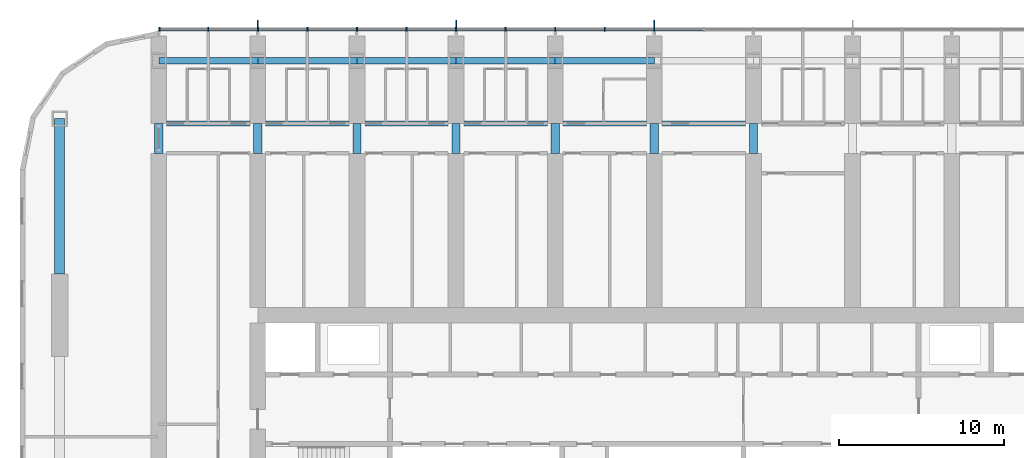
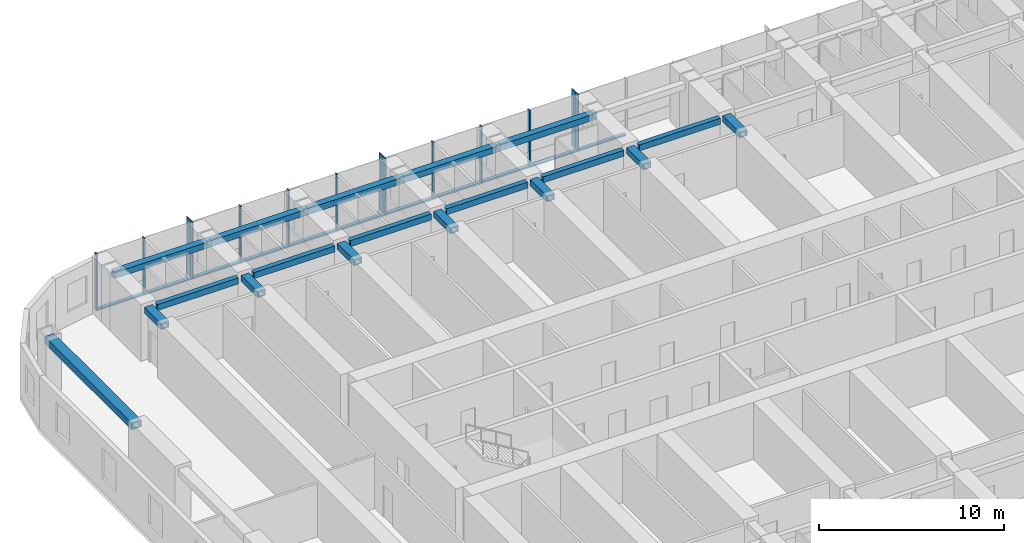
# One storey, part 4 of 22: 25 members, 19 beams, 1 element without a shape of its own.
"""IFC4 building model written with IfcOpenShell, lengths in metres."""

from ifc_helpers import new_model, si_unit, direction, frame, origin, origin_2d, place, context, subcontext, project, spatial, rectangle, hollow_rectangle, extrude, material, material_profile, profile_set, type_object, element, aggregate, save


model = new_model("IFC4")

# Units and contexts
model_context = context("Model", 3, precision=1e-05, world=origin(), true_north=direction((0.0, 1.0)))
body_context = subcontext(model_context, "Body", "Model", "MODEL_VIEW")
ifc_project = project(units=[si_unit("LENGTHUNIT", "METRE"), si_unit("AREAUNIT", "SQUARE_METRE"), si_unit("VOLUMEUNIT", "CUBIC_METRE"), si_unit("PLANEANGLEUNIT", "RADIAN"), si_unit("MASSUNIT", "GRAM", prefix="KILO")], contexts=[model_context])

# Site, building, storey
site_placement = place(None, origin())
site = spatial("IfcSite", under=ifc_project, at=site_placement, CompositionType="ELEMENT")
building_placement = place(site_placement, origin())
building = spatial("IfcBuilding", under=site, at=building_placement, Name="Orbita Commons", CompositionType="ELEMENT")
storey_placement = place(building_placement, frame((0.0, 0.0, 121.89990234375)))
storey = spatial("IfcBuildingStorey", under=building, at=storey_placement, Name="L30", CompositionType="ELEMENT", Elevation=121.89990234375)

# Curtain wall, members
ifc_material_1 = material(Name="Anodised aluminium frame, pale silver", Category="aluminium")
curtain_wall_type = type_object("IfcCurtainWallType", Name="Unitised curtain wall CW-T, vision and spandrel", PredefinedType="NOTDEFINED", material=ifc_material_1)
curtain_wall_placement = place(storey_placement, origin())
curtain_wall = element("IfcCurtainWall", 1, at=curtain_wall_placement, inside=storey, type_object=curtain_wall_type, Name="Curtain wall north L30", PredefinedType="NOTDEFINED")
ifc_material_2 = material(Name="Anodised aluminium, pale silver", Category="aluminium")
ifc_material_profile_1 = material_profile(ifc_material_2, rectangle(XDim=0.080078125, YDim=0.219970703125, at=origin_2d()), Name="AL 80x220")
ifc_profile_set_1 = profile_set([ifc_material_profile_1], Name="Anodised aluminium, pale silver")
member_type_1 = type_object("IfcMemberType", Name="Curtain wall mullion 80x220", PredefinedType="MULLION", material=ifc_profile_set_1)
member_1_placement = place(storey_placement, frame((42.0, 55.510009765625, -0.25), z_axis=(0.0, 0.0, 1.0), x_axis=(-1.0, 0.0, 0.0)))
member_1 = element("IfcMember", 2, at=member_1_placement, type_object=member_type_1, Name="Mullion 9 CW-L30-N", PredefinedType="MULLION", context=body_context, shape_type="SweptSolid", body=[
    extrude(rectangle(XDim=0.080078125, YDim=0.219970703125, at=origin_2d()), origin(), (0.0, 0.0, 1.0), 3.75),
])
member_2_placement = place(storey_placement, frame((39.0, 55.510009765625, -0.25), z_axis=(0.0, 0.0, 1.0), x_axis=(-1.0, 0.0, 0.0)))
member_2 = element("IfcMember", 3, at=member_2_placement, type_object=member_type_1, Name="Mullion 10 CW-L30-N", PredefinedType="MULLION", context=body_context, shape_type="SweptSolid", body=[
    extrude(rectangle(XDim=0.080078125, YDim=0.219970703125, at=origin_2d()), origin(), (0.0, 0.0, 1.0), 3.75),
])
member_3_placement = place(storey_placement, frame((36.0, 55.510009765625, -0.25), z_axis=(0.0, 0.0, 1.0), x_axis=(-1.0, 0.0, 0.0)))
member_3 = element("IfcMember", 4, at=member_3_placement, type_object=member_type_1, Name="Mullion 11 CW-L30-N", PredefinedType="MULLION", context=body_context, shape_type="SweptSolid", body=[
    extrude(rectangle(XDim=0.080078125, YDim=0.219970703125, at=origin_2d()), origin(), (0.0, 0.0, 1.0), 3.75),
])
member_4_placement = place(storey_placement, frame((33.0, 55.510009765625, -0.25), z_axis=(0.0, 0.0, 1.0), x_axis=(-1.0, 0.0, 0.0)))
member_4 = element("IfcMember", 5, at=member_4_placement, type_object=member_type_1, Name="Mullion 12 CW-L30-N", PredefinedType="MULLION", context=body_context, shape_type="SweptSolid", body=[
    extrude(rectangle(XDim=0.080078125, YDim=0.219970703125, at=origin_2d()), origin(), (0.0, 0.0, 1.0), 3.75),
])
member_5_placement = place(storey_placement, frame((30.0, 55.510009765625, -0.25), z_axis=(0.0, 0.0, 1.0), x_axis=(-1.0, 0.0, 0.0)))
member_5 = element("IfcMember", 6, at=member_5_placement, type_object=member_type_1, Name="Mullion 13 CW-L30-N", PredefinedType="MULLION", context=body_context, shape_type="SweptSolid", body=[
    extrude(rectangle(XDim=0.080078125, YDim=0.219970703125, at=origin_2d()), origin(), (0.0, 0.0, 1.0), 3.75),
])
member_6_placement = place(storey_placement, frame((27.0, 55.510009765625, -0.25), z_axis=(0.0, 0.0, 1.0), x_axis=(-1.0, 0.0, 0.0)))
member_6 = element("IfcMember", 7, at=member_6_placement, type_object=member_type_1, Name="Mullion 14 CW-L30-N", PredefinedType="MULLION", context=body_context, shape_type="SweptSolid", body=[
    extrude(rectangle(XDim=0.080078125, YDim=0.219970703125, at=origin_2d()), origin(), (0.0, 0.0, 1.0), 3.75),
])
member_7_placement = place(storey_placement, frame((24.0, 55.510009765625, -0.25), z_axis=(0.0, 0.0, 1.0), x_axis=(-1.0, 0.0, 0.0)))
member_7 = element("IfcMember", 8, at=member_7_placement, type_object=member_type_1, Name="Mullion 15 CW-L30-N", PredefinedType="MULLION", context=body_context, shape_type="SweptSolid", body=[
    extrude(rectangle(XDim=0.080078125, YDim=0.219970703125, at=origin_2d()), origin(), (0.0, 0.0, 1.0), 3.75),
])
member_8_placement = place(storey_placement, frame((21.0, 55.510009765625, -0.25), z_axis=(0.0, 0.0, 1.0), x_axis=(-1.0, 0.0, 0.0)))
member_8 = element("IfcMember", 9, at=member_8_placement, type_object=member_type_1, Name="Mullion 16 CW-L30-N", PredefinedType="MULLION", context=body_context, shape_type="SweptSolid", body=[
    extrude(rectangle(XDim=0.080078125, YDim=0.219970703125, at=origin_2d()), origin(), (0.0, 0.0, 1.0), 3.75),
])
member_9_placement = place(storey_placement, frame((18.0, 55.510009765625, -0.25), z_axis=(0.0, 0.0, 1.0), x_axis=(-1.0, 0.0, 0.0)))
member_9 = element("IfcMember", 10, at=member_9_placement, type_object=member_type_1, Name="Mullion 17 CW-L30-N", PredefinedType="MULLION", context=body_context, shape_type="SweptSolid", body=[
    extrude(rectangle(XDim=0.080078125, YDim=0.219970703125, at=origin_2d()), origin(), (0.0, 0.0, 1.0), 3.75),
])
member_10_placement = place(storey_placement, frame((15.0, 55.510009765625, -0.25), z_axis=(0.0, 0.0, 1.0), x_axis=(-1.0, 0.0, 0.0)))
member_10 = element("IfcMember", 11, at=member_10_placement, type_object=member_type_1, Name="Mullion 18 CW-L30-N", PredefinedType="MULLION", context=body_context, shape_type="SweptSolid", body=[
    extrude(rectangle(XDim=0.080078125, YDim=0.219970703125, at=origin_2d()), origin(), (0.0, 0.0, 1.0), 3.75),
])
member_11_placement = place(storey_placement, frame((12.0400390625, 55.510009765625, -0.25), z_axis=(0.0, 0.0, 1.0), x_axis=(-1.0, 0.0, 0.0)))
member_11 = element("IfcMember", 12, at=member_11_placement, type_object=member_type_1, Name="Mullion 19 CW-L30-N", PredefinedType="MULLION", context=body_context, shape_type="SweptSolid", body=[
    extrude(rectangle(XDim=0.080078125, YDim=0.219970703125, at=origin_2d()), origin(), (0.0, 0.0, 1.0), 3.75),
])
ifc_material_3 = material(Name="Anodised aluminium, pale silver", Category="aluminium")
ifc_material_profile_2 = material_profile(ifc_material_3, rectangle(XDim=0.219970703125, YDim=0.10009765625, at=origin_2d()), Name="AL 220x100")
ifc_profile_set_2 = profile_set([ifc_material_profile_2], Name="Anodised aluminium, pale silver")
member_type_2 = type_object("IfcMemberType", Name="Curtain wall stack transom 220x100", PredefinedType="USERDEFINED", material=ifc_profile_set_2)
member_12_placement = place(storey_placement, frame((44.9599609375, 55.510009765625, -0.199951171875), z_axis=(-1.0, 0.0, 0.0), x_axis=(0.0, -1.0, 0.0)))
member_12 = element("IfcMember", 13, at=member_12_placement, type_object=member_type_2, Name="Transom 8.1 CW-L30-N", ObjectType="TRANSOM", PredefinedType="USERDEFINED", context=body_context, shape_type="SweptSolid", body=[
    extrude(rectangle(XDim=0.219970703125, YDim=0.10009765625, at=origin_2d()), origin(), (0.0, 0.0, 1.0), 2.919921875),
])
member_13_placement = place(storey_placement, frame((41.9599609375, 55.510009765625, -0.199951171875), z_axis=(-1.0, 0.0, 0.0), x_axis=(0.0, -1.0, 0.0)))
member_13 = element("IfcMember", 14, at=member_13_placement, type_object=member_type_2, Name="Transom 9.1 CW-L30-N", ObjectType="TRANSOM", PredefinedType="USERDEFINED", context=body_context, shape_type="SweptSolid", body=[
    extrude(rectangle(XDim=0.219970703125, YDim=0.10009765625, at=origin_2d()), origin(), (0.0, 0.0, 1.0), 2.919921875),
])
member_14_placement = place(storey_placement, frame((38.9599609375, 55.510009765625, -0.199951171875), z_axis=(-1.0, 0.0, 0.0), x_axis=(0.0, -1.0, 0.0)))
member_14 = element("IfcMember", 15, at=member_14_placement, type_object=member_type_2, Name="Transom 10.1 CW-L30-N", ObjectType="TRANSOM", PredefinedType="USERDEFINED", context=body_context, shape_type="SweptSolid", body=[
    extrude(rectangle(XDim=0.219970703125, YDim=0.10009765625, at=origin_2d()), origin(), (0.0, 0.0, 1.0), 2.919921875),
])
member_15_placement = place(storey_placement, frame((35.9599609375, 55.510009765625, -0.199951171875), z_axis=(-1.0, 0.0, 0.0), x_axis=(0.0, -1.0, 0.0)))
member_15 = element("IfcMember", 16, at=member_15_placement, type_object=member_type_2, Name="Transom 11.1 CW-L30-N", ObjectType="TRANSOM", PredefinedType="USERDEFINED", context=body_context, shape_type="SweptSolid", body=[
    extrude(rectangle(XDim=0.219970703125, YDim=0.10009765625, at=origin_2d()), origin(), (0.0, 0.0, 1.0), 2.919921875),
])
member_16_placement = place(storey_placement, frame((32.9599609375, 55.510009765625, -0.199951171875), z_axis=(-1.0, 0.0, 0.0), x_axis=(0.0, -1.0, 0.0)))
member_16 = element("IfcMember", 17, at=member_16_placement, type_object=member_type_2, Name="Transom 12.1 CW-L30-N", ObjectType="TRANSOM", PredefinedType="USERDEFINED", context=body_context, shape_type="SweptSolid", body=[
    extrude(rectangle(XDim=0.219970703125, YDim=0.10009765625, at=origin_2d()), origin(), (0.0, 0.0, 1.0), 2.919921875),
])
member_17_placement = place(storey_placement, frame((29.9599609375, 55.510009765625, -0.199951171875), z_axis=(-1.0, 0.0, 0.0), x_axis=(0.0, -1.0, 0.0)))
member_17 = element("IfcMember", 18, at=member_17_placement, type_object=member_type_2, Name="Transom 13.1 CW-L30-N", ObjectType="TRANSOM", PredefinedType="USERDEFINED", context=body_context, shape_type="SweptSolid", body=[
    extrude(rectangle(XDim=0.219970703125, YDim=0.10009765625, at=origin_2d()), origin(), (0.0, 0.0, 1.0), 2.919921875),
])
member_18_placement = place(storey_placement, frame((26.9599609375, 55.510009765625, -0.199951171875), z_axis=(-1.0, 0.0, 0.0), x_axis=(0.0, -1.0, 0.0)))
member_18 = element("IfcMember", 19, at=member_18_placement, type_object=member_type_2, Name="Transom 14.1 CW-L30-N", ObjectType="TRANSOM", PredefinedType="USERDEFINED", context=body_context, shape_type="SweptSolid", body=[
    extrude(rectangle(XDim=0.219970703125, YDim=0.10009765625, at=origin_2d()), origin(), (0.0, 0.0, 1.0), 2.919921875),
])
member_19_placement = place(storey_placement, frame((23.9599609375, 55.510009765625, -0.199951171875), z_axis=(-1.0, 0.0, 0.0), x_axis=(0.0, -1.0, 0.0)))
member_19 = element("IfcMember", 20, at=member_19_placement, type_object=member_type_2, Name="Transom 15.1 CW-L30-N", ObjectType="TRANSOM", PredefinedType="USERDEFINED", context=body_context, shape_type="SweptSolid", body=[
    extrude(rectangle(XDim=0.219970703125, YDim=0.10009765625, at=origin_2d()), origin(), (0.0, 0.0, 1.0), 2.919921875),
])
member_20_placement = place(storey_placement, frame((20.9599609375, 55.510009765625, -0.199951171875), z_axis=(-1.0, 0.0, 0.0), x_axis=(0.0, -1.0, 0.0)))
member_20 = element("IfcMember", 21, at=member_20_placement, type_object=member_type_2, Name="Transom 16.1 CW-L30-N", ObjectType="TRANSOM", PredefinedType="USERDEFINED", context=body_context, shape_type="SweptSolid", body=[
    extrude(rectangle(XDim=0.219970703125, YDim=0.10009765625, at=origin_2d()), origin(), (0.0, 0.0, 1.0), 2.919921875),
])
member_21_placement = place(storey_placement, frame((17.9599609375, 55.510009765625, -0.199951171875), z_axis=(-1.0, 0.0, 0.0), x_axis=(0.0, -1.0, 0.0)))
member_21 = element("IfcMember", 22, at=member_21_placement, type_object=member_type_2, Name="Transom 17.1 CW-L30-N", ObjectType="TRANSOM", PredefinedType="USERDEFINED", context=body_context, shape_type="SweptSolid", body=[
    extrude(rectangle(XDim=0.219970703125, YDim=0.10009765625, at=origin_2d()), origin(), (0.0, 0.0, 1.0), 2.919921875),
])
member_22_placement = place(storey_placement, frame((14.9599609375, 55.510009765625, -0.199951171875), z_axis=(-1.0, 0.0, 0.0), x_axis=(0.0, -1.0, 0.0)))
member_22 = element("IfcMember", 23, at=member_22_placement, type_object=member_type_2, Name="Transom 18.1 CW-L30-N", ObjectType="TRANSOM", PredefinedType="USERDEFINED", context=body_context, shape_type="SweptSolid", body=[
    extrude(rectangle(XDim=0.219970703125, YDim=0.10009765625, at=origin_2d()), origin(), (0.0, 0.0, 1.0), 2.8798828125),
])

# Beams
ifc_material_4 = material(Name="Steel ASTM A572 Gr 50 welded plate", Category="steel")
ifc_material_profile_3 = material_profile(ifc_material_4, hollow_rectangle(XDim=0.300048828125, YDim=0.39990234375, WallThickness=0.0400390625, at=origin_2d()), Name="BOX 400x300x40")
ifc_profile_set_3 = profile_set([ifc_material_profile_3], Name="Steel ASTM A572 Gr 50 welded plate")
beam_type_1 = type_object("IfcBeamType", Name="Steel corridor link BOX 400x300x40", PredefinedType="BEAM", material=ifc_profile_set_3)
for number, where, z_axis, x_axis, name in (
    (24, (12.47509765625, 49.800048828125, 3.300048828125), (1.0, 0.0, 0.0), (0.0, 1.0, 0.0), "Corridor beam NB 3-4 L30"),
    (25, (18.47509765625, 49.800048828125, 3.300048828125), (1.0, 0.0, 0.0), (0.0, 1.0, 0.0), "Corridor beam NB 4-5 L30"),
    (26, (24.47509765625, 49.800048828125, 3.300048828125), (1.0, 0.0, 0.0), (0.0, 1.0, 0.0), "Corridor beam NB 5-6 L30"),
    (27, (30.47509765625, 49.800048828125, 3.300048828125), (1.0, 0.0, 0.0), (0.0, 1.0, 0.0), "Corridor beam NB 6-7 L30"),
    (28, (36.47509765625, 49.800048828125, 3.300048828125), (1.0, 0.0, 0.0), (0.0, 1.0, 0.0), "Corridor beam NB 7-8 L30"),
    (29, (42.47509765625, 49.800048828125, 3.300048828125), (1.0, 0.0, 0.0), (0.0, 1.0, 0.0), "Corridor beam NB 8-9 L30"),
):
    element("IfcBeam", number, at=place(storey_placement, frame(where, z_axis=z_axis, x_axis=x_axis)), inside=storey, type_object=beam_type_1, Name=name, PredefinedType="BEAM", context=body_context, shape_type="SweptSolid", body=[
        extrude(hollow_rectangle(XDim=0.300048828125, YDim=0.39990234375, WallThickness=0.0400390625, at=origin_2d()), origin(), (0.0, 0.0, 1.0), 5.0498046875),
    ])
ifc_material_5 = material(Name="Steel ASTM A572 Gr 50 welded plate", Category="steel")
ifc_material_profile_4 = material_profile(ifc_material_5, hollow_rectangle(XDim=0.5, YDim=0.39990234375, WallThickness=0.050048828125, at=origin_2d()), Name="BOX 400x500x50")
ifc_profile_set_4 = profile_set([ifc_material_profile_4], Name="Steel ASTM A572 Gr 50 welded plate")
beam_type_2 = type_object("IfcBeamType", Name="Steel coupling link BOX 400x500x50", PredefinedType="LINTEL", material=ifc_profile_set_4)
for number, where, z_axis, x_axis, name in (
    (30, (12.0, 48.0, 3.300048828125), (0.0, 1.0, 0.0), (-1.0, 0.0, 0.0), "Coupling beam 3 north L30"),
    (31, (18.0, 48.0, 3.300048828125), (0.0, 1.0, 0.0), (-1.0, 0.0, 0.0), "Coupling beam 4 north L30"),
    (32, (24.0, 48.0, 3.300048828125), (0.0, 1.0, 0.0), (-1.0, 0.0, 0.0), "Coupling beam 5 north L30"),
    (33, (30.0, 48.0, 3.300048828125), (0.0, 1.0, 0.0), (-1.0, 0.0, 0.0), "Coupling beam 6 north L30"),
    (34, (36.0, 48.0, 3.300048828125), (0.0, 1.0, 0.0), (-1.0, 0.0, 0.0), "Coupling beam 7 north L30"),
    (35, (42.0, 48.0, 3.300048828125), (0.0, 1.0, 0.0), (-1.0, 0.0, 0.0), "Coupling beam 8 north L30"),
    (36, (48.0, 48.0, 3.300048828125), (0.0, 1.0, 0.0), (-1.0, 0.0, 0.0), "Coupling beam 9 north L30"),
):
    element("IfcBeam", number, at=place(storey_placement, frame(where, z_axis=z_axis, x_axis=x_axis)), inside=storey, type_object=beam_type_2, Name=name, PredefinedType="LINTEL", context=body_context, shape_type="SweptSolid", body=[
        extrude(hollow_rectangle(XDim=0.5, YDim=0.39990234375, WallThickness=0.050048828125, at=origin_2d()), origin(), (0.0, 0.0, 1.0), 1.800048828125),
    ])
ifc_material_6 = material(Name="Steel ASTM A572 Gr 50 welded plate", Category="steel")
ifc_material_profile_5 = material_profile(ifc_material_6, hollow_rectangle(XDim=0.60009765625, YDim=0.449951171875, WallThickness=0.06005859375, at=origin_2d()), Name="BOX 450x600x60")
ifc_profile_set_5 = profile_set([ifc_material_profile_5], Name="Steel ASTM A572 Gr 50 welded plate")
beam_type_3 = type_object("IfcBeamType", Name="Steel end frame link BOX 450x600x60", PredefinedType="BEAM", material=ifc_profile_set_5)
beam_placement = place(storey_placement, frame((6.0, 40.699951171875, 3.275146484375), z_axis=(0.0, 1.0, 0.0), x_axis=(-1.0, 0.0, 0.0)))
element("IfcBeam", 37, at=beam_placement, inside=storey, type_object=beam_type_3, Name="End frame beam 2 D-E L30", PredefinedType="BEAM", context=body_context, shape_type="SweptSolid", body=[
    extrude(hollow_rectangle(XDim=0.60009765625, YDim=0.449951171875, WallThickness=0.06005859375, at=origin_2d()), origin(), (0.0, 0.0, 1.0), 9.400146484375),
])
ifc_material_7 = material(Name="Steel ASTM A572 Gr 50 welded plate", Category="steel")
ifc_material_profile_6 = material_profile(ifc_material_7, hollow_rectangle(XDim=0.39990234375, YDim=0.39990234375, WallThickness=0.0400390625, at=origin_2d()), Name="BOX 400x400x40")
ifc_profile_set_6 = profile_set([ifc_material_profile_6], Name="Steel ASTM A572 Gr 50 welded plate")
beam_type_4 = type_object("IfcBeamType", Name="Steel spandrel BOX 400x400x40", PredefinedType="SPANDREL", material=ifc_profile_set_6)
for number, where, z_axis, x_axis, name in (
    (38, (12.0, 53.60009765625, 3.300048828125), (1.0, 0.0, 0.0), (0.0, 1.0, 0.0), "Spandrel beam E 3-4 L30"),
    (39, (18.0, 53.60009765625, 3.300048828125), (1.0, 0.0, 0.0), (0.0, 1.0, 0.0), "Spandrel beam E 4-5 L30"),
    (40, (24.0, 53.60009765625, 3.300048828125), (1.0, 0.0, 0.0), (0.0, 1.0, 0.0), "Spandrel beam E 5-6 L30"),
    (41, (30.0, 53.60009765625, 3.300048828125), (1.0, 0.0, 0.0), (0.0, 1.0, 0.0), "Spandrel beam E 6-7 L30"),
    (42, (36.0, 53.60009765625, 3.300048828125), (1.0, 0.0, 0.0), (0.0, 1.0, 0.0), "Spandrel beam E 7-8 L30"),
):
    element("IfcBeam", number, at=place(storey_placement, frame(where, z_axis=z_axis, x_axis=x_axis)), inside=storey, type_object=beam_type_4, Name=name, PredefinedType="SPANDREL", context=body_context, shape_type="SweptSolid", body=[
        extrude(hollow_rectangle(XDim=0.39990234375, YDim=0.39990234375, WallThickness=0.0400390625, at=origin_2d()), origin(), (0.0, 0.0, 1.0), 6.0),
    ])

# Member
ifc_material_8 = material(Name="Anodised aluminium, pale silver", Category="aluminium")
ifc_material_profile_7 = material_profile(ifc_material_8, rectangle(XDim=0.06005859375, YDim=0.449951171875, at=origin_2d()), Name="FIN 60x450")
ifc_profile_set_7 = profile_set([ifc_material_profile_7], Name="Anodised aluminium, pale silver")
member_type_3 = type_object("IfcMemberType", Name="Vertical fin 60x450 pale aluminium", PredefinedType="USERDEFINED", material=ifc_profile_set_7)
member_23_placement = place(storey_placement, frame((42.0, 55.844970703125, -0.25), z_axis=(0.0, 0.0, 1.0), x_axis=(-1.0, 0.0, 0.0)))
member_23 = element("IfcMember", 43, at=member_23_placement, type_object=member_type_3, Name="Fin 9 CW-L30-N", ObjectType="FIN", PredefinedType="USERDEFINED", context=body_context, shape_type="SweptSolid", body=[
    extrude(rectangle(XDim=0.06005859375, YDim=0.449951171875, at=origin_2d()), origin(), (0.0, 0.0, 1.0), 3.75),
])

member_24_placement = place(storey_placement, frame((30.0, 55.844970703125, -0.25), z_axis=(0.0, 0.0, 1.0), x_axis=(-1.0, 0.0, 0.0)))
member_24 = element("IfcMember", 44, at=member_24_placement, type_object=member_type_3, Name="Fin 13 CW-L30-N", ObjectType="FIN", PredefinedType="USERDEFINED", context=body_context, shape_type="SweptSolid", body=[
    extrude(rectangle(XDim=0.06005859375, YDim=0.449951171875, at=origin_2d()), origin(), (0.0, 0.0, 1.0), 3.75),
])

member_25_placement = place(storey_placement, frame((18.0, 55.844970703125, -0.25), z_axis=(0.0, 0.0, 1.0), x_axis=(-1.0, 0.0, 0.0)))
member_25 = element("IfcMember", 45, at=member_25_placement, type_object=member_type_3, Name="Fin 17 CW-L30-N", ObjectType="FIN", PredefinedType="USERDEFINED", context=body_context, shape_type="SweptSolid", body=[
    extrude(rectangle(XDim=0.06005859375, YDim=0.449951171875, at=origin_2d()), origin(), (0.0, 0.0, 1.0), 3.75),
])

aggregate(curtain_wall, [member_1, member_23, member_2, member_3, member_4, member_5, member_24, member_6, member_7, member_8, member_9, member_25, member_10, member_11, member_12, member_13, member_14, member_15, member_16, member_17, member_18, member_19, member_20, member_21, member_22])

save(model, "model.ifc")
